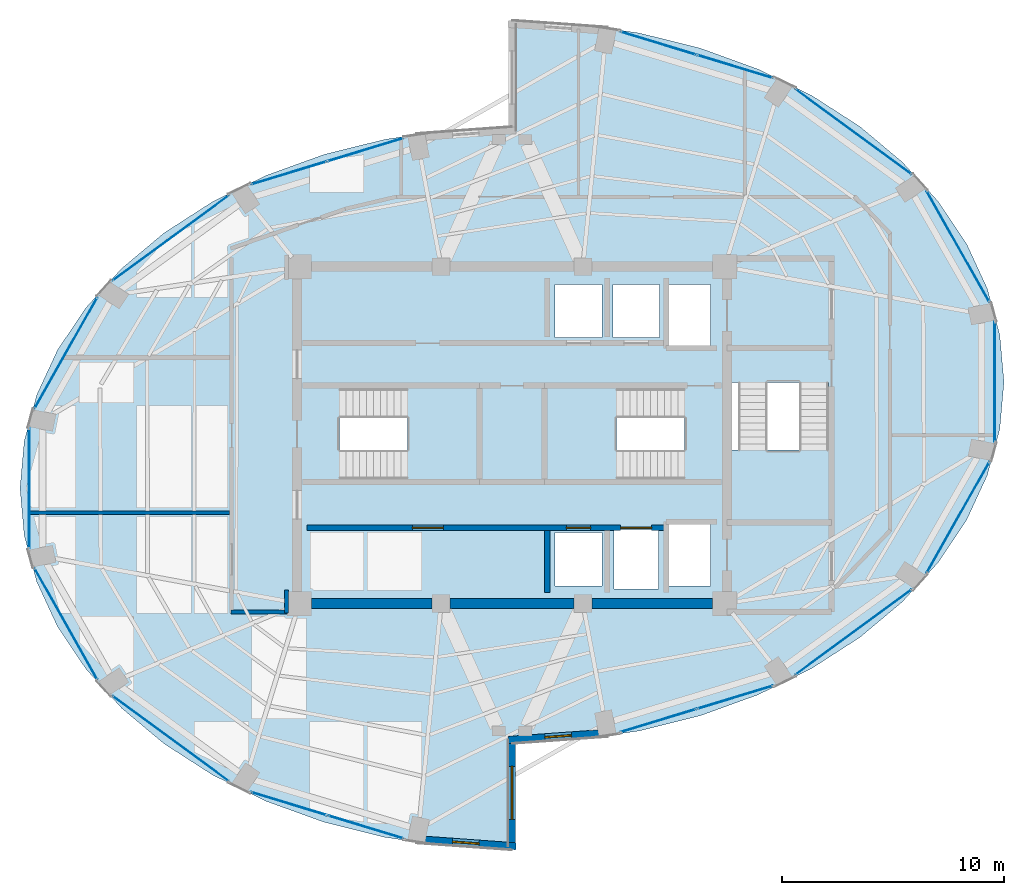
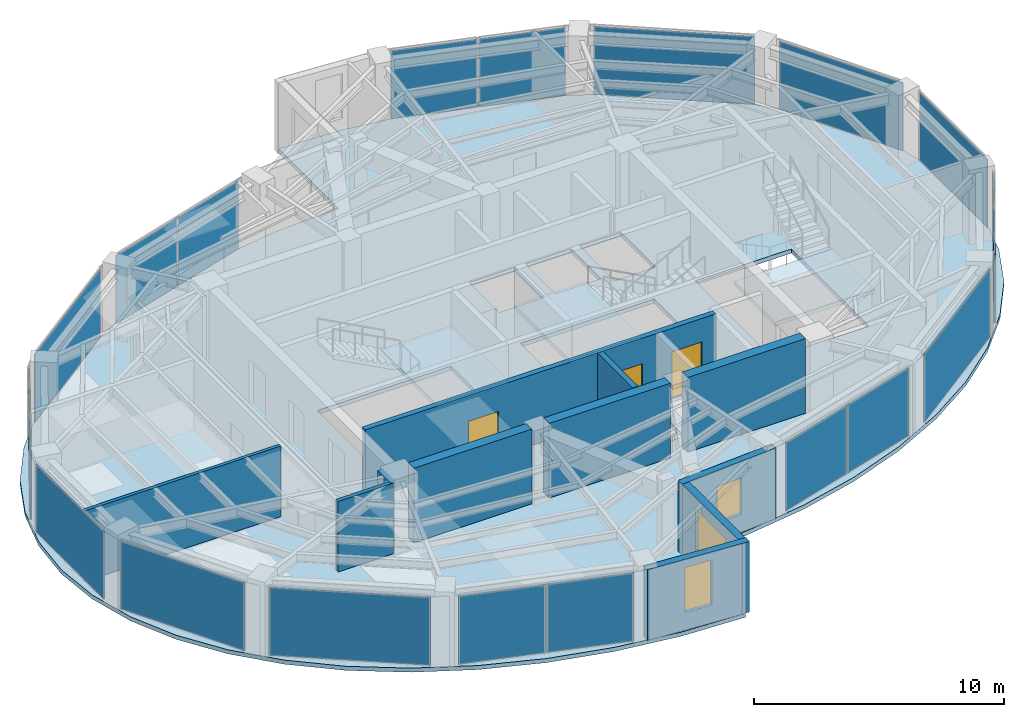
# One storey, part 18 of 22: 18 plates, 11 walls, 4 slabs, 3 doors, 3 windows, 6 openings, 17 elements without a shape of their own.
"""IFC4 building model written with IfcOpenShell, lengths in metres."""

import ifcopenshell
import ifcopenshell.guid

model = None  # the IFC model being written
_history = None  # IfcOwnerHistory: only IFC2X3 demands one
_inside = {}  # id of a spatial element -> (the spatial element, [elements in it])
_under = {}  # id of a project, library or spatial element -> (it, [spatial elements below it])
_declared = {}  # id of a project -> (the project, [libraries it declares])
_typed = {}  # id of a type object -> (the type object, [elements of that type])
_made_of = {}  # id of a material, layer set ... -> (it, [elements and type objects made of it])


def new_model(schema):
    """Start an empty IFC model of exactly this schema.

    Asked for "IFC4X3", IfcOpenShell would pick the latest addendum, in which some entities
    have other attributes; the version numbers below select the first issue.
    IFC2X3 requires an IfcOwnerHistory on every rooted entity: one is made here for all.
    """
    global model, _history
    if schema == "IFC4X3":
        model = ifcopenshell.file(schema_version=(4, 3, 0, 0))
    else:
        model = ifcopenshell.file(schema=schema)
    _inside.clear()
    _under.clear()
    _declared.clear()
    _typed.clear()
    _made_of.clear()
    _history = None
    if model.schema == "IFC2X3":
        org = make("IfcOrganization", Name="unknown")
        user = make(
            "IfcPersonAndOrganization",
            ThePerson=make("IfcPerson", FamilyName="unknown"),
            TheOrganization=org,
        )
        app = make(
            "IfcApplication",
            ApplicationDeveloper=org,
            Version="unknown",
            ApplicationFullName="unknown",
            ApplicationIdentifier="unknown",
        )
        _history = make(
            "IfcOwnerHistory",
            OwningUser=user,
            OwningApplication=app,
            ChangeAction="ADDED",
            CreationDate=0,
        )
    return model


def make(cls, **values):
    """One entity of the class cls with the attributes given. An attribute that is None is left unset."""
    return model.create_entity(
        cls, **{name: value for name, value in values.items() if value is not None}
    )


def rooted(cls, **values):
    """An entity with a GlobalId (a new one), such as an element, a storey or a relation."""
    return make(cls, GlobalId=ifcopenshell.guid.new(), OwnerHistory=_history, **values)


def si_unit(unit_type, name, prefix=None):
    """IfcSIUnit, for example si_unit("LENGTHUNIT", "METRE", prefix="MILLI")."""
    return make("IfcSIUnit", UnitType=unit_type, Prefix=prefix, Name=name)


def assignment(units):
    """IfcUnitAssignment: the units of a project."""
    return None if units is None else make("IfcUnitAssignment", Units=units)


def point(xyz):
    """IfcCartesianPoint."""
    return None if xyz is None else make("IfcCartesianPoint", Coordinates=xyz)


def direction(xyz):
    """IfcDirection."""
    return None if xyz is None else make("IfcDirection", DirectionRatios=xyz)


def frame(location, z_axis=None, x_axis=None):
    """IfcAxis2Placement3D, a coordinate frame: its origin and axes. An axis left out is left unset."""
    return make(
        "IfcAxis2Placement3D",
        Location=point(location),
        Axis=direction(z_axis),
        RefDirection=direction(x_axis),
    )


def frame_2d(location, x_axis=None):
    """IfcAxis2Placement2D, a coordinate frame in the plane: its origin and x axis."""
    return make(
        "IfcAxis2Placement2D", Location=point(location), RefDirection=direction(x_axis)
    )


def origin():
    """The frame at (0, 0, 0) with its axes left unset."""
    return frame((0.0, 0.0, 0.0))


def origin_2d():
    """The frame at (0, 0) in the plane with its x axis left unset."""
    return frame_2d((0.0, 0.0))


def place(relative_to, where):
    """IfcLocalPlacement: puts the frame where relative to a parent placement (None: the world)."""
    return make(
        "IfcLocalPlacement", PlacementRelTo=relative_to, RelativePlacement=where
    )


def context(
    kind, dimensions, precision=None, world=None, true_north=None, identifier=None
):
    """IfcGeometricRepresentationContext, for example the 3D "Model" context."""
    return make(
        "IfcGeometricRepresentationContext",
        ContextIdentifier=identifier,
        ContextType=kind,
        CoordinateSpaceDimension=dimensions,
        Precision=precision,
        WorldCoordinateSystem=world,
        TrueNorth=true_north,
    )


def subcontext(parent, identifier, kind, view, scale=None):
    """IfcGeometricRepresentationSubContext, for example "Body" below "Model"."""
    return make(
        "IfcGeometricRepresentationSubContext",
        ContextIdentifier=identifier,
        ContextType=kind,
        ParentContext=parent,
        TargetScale=scale,
        TargetView=view,
    )


def project(units=None, contexts=None):
    """IfcProject with its units and contexts."""
    return rooted(
        "IfcProject",
        Name="project",
        RepresentationContexts=contexts,
        UnitsInContext=assignment(units),
    )


def spatial(cls, under=None, at=None, **own):
    """A site, building, storey or space (cls), placed at a placement, below another one or the project."""
    s = rooted(cls, ObjectPlacement=at, **own)
    if under is not None:
        _under.setdefault(under.id(), (under, []))[1].append(s)
    return s


def polyline(points):
    """IfcPolyline through the points."""
    return make("IfcPolyline", Points=[point(p) for p in points])


def profile(cls, at=None, kind="AREA", **sizes):
    """A parametric profile (cls). Its sizes go by their IFC names, for example OverallWidth=200.0."""
    return make(cls, ProfileType=kind, Position=at, **sizes)


def rectangle(**sizes):
    """IfcRectangleProfileDef."""
    return profile("IfcRectangleProfileDef", **sizes)


def outline(outer, holes=None, kind="AREA"):
    """IfcArbitraryClosedProfileDef: a profile drawn as a closed curve; with holes, ...WithVoids."""
    if holes is None:
        return make("IfcArbitraryClosedProfileDef", ProfileType=kind, OuterCurve=outer)
    return make(
        "IfcArbitraryProfileDefWithVoids",
        ProfileType=kind,
        OuterCurve=outer,
        InnerCurves=holes,
    )


def extrude(swept, where, along, depth):
    """IfcExtrudedAreaSolid: the profile swept, set in the frame where, extruded along a direction by depth."""
    return make(
        "IfcExtrudedAreaSolid",
        SweptArea=swept,
        Position=where,
        ExtrudedDirection=direction(along),
        Depth=depth,
    )


def shape(context_of_items, identifier, shape_type, items):
    """IfcShapeRepresentation: the items that make up one representation, for example the "Body"."""
    return make(
        "IfcShapeRepresentation",
        ContextOfItems=context_of_items,
        RepresentationIdentifier=identifier,
        RepresentationType=shape_type,
        Items=items,
    )


def material(Name=None, Category=None):
    """IfcMaterial."""
    return make("IfcMaterial", Name=Name, Category=Category)


def layer(
    of_material, thickness, ventilated=None, Name=None, Category=None, Priority=None
):
    """IfcMaterialLayer: one layer of a wall or slab, of a material (None: an air gap)."""
    return make(
        "IfcMaterialLayer",
        Material=of_material,
        LayerThickness=thickness,
        IsVentilated=ventilated,
        Name=Name,
        Category=Category,
        Priority=Priority,
    )


def layer_set(layers, Name=None):
    """IfcMaterialLayerSet."""
    return make("IfcMaterialLayerSet", MaterialLayers=layers, LayerSetName=Name)


def made_of(thing, what):
    """Note that an element or type object is made of a material, layer set ...; save() writes the relation."""
    if what is not None:
        _made_of.setdefault(what.id(), (what, []))[1].append(thing)
    return thing


def type_object(cls, material=None, **own):
    """A type object (cls), such as IfcWallType, which elements share."""
    return made_of(rooted(cls, **own), material)


def element(
    cls,
    number,
    at=None,
    inside=None,
    cuts=None,
    type_object=None,
    material=None,
    context=None,
    identifier="Body",
    shape_type=None,
    held_by="IfcProductDefinitionShape",
    body=None,
    shapes=None,
    **own,
):
    """One element of the class cls, such as IfcWall. Its Tag is "e" and its number.

    at: its placement. inside: the storey or other place that contains it. cuts: it is an
    opening in that element (IfcRelVoidsElement). A single representation is given by context,
    identifier, shape_type and body (its items); several are given by shapes. held_by: the class
    of the entity that holds the representations. save() writes the other relations.
    """
    e = rooted(cls, Tag="e%d" % number, ObjectPlacement=at, **own)
    if body is not None:
        shapes = [shape(context, identifier, shape_type, body)]
    if shapes is not None:
        e.Representation = make(held_by, Representations=shapes)
    if inside is not None:
        _inside.setdefault(inside.id(), (inside, []))[1].append(e)
    if cuts is not None:
        rooted(
            "IfcRelVoidsElement", RelatingBuildingElement=cuts, RelatedOpeningElement=e
        )
    if type_object is not None:
        _typed.setdefault(type_object.id(), (type_object, []))[1].append(e)
    return made_of(e, material)


def fill(opening, filler):
    """IfcRelFillsElement: the door or window that sits in an opening."""
    return rooted(
        "IfcRelFillsElement",
        RelatingOpeningElement=opening,
        RelatedBuildingElement=filler,
    )


def aggregate(whole, parts):
    """IfcRelAggregates: a whole, such as a stair, and the parts it consists of."""
    return rooted("IfcRelAggregates", RelatingObject=whole, RelatedObjects=parts)


def save(model, path):
    """Write the relations noted so far, then the file.

    IfcRelAggregates (storeys below a building ...), IfcRelContainedInSpatialStructure (elements
    in a storey), IfcRelDefinesByType, IfcRelAssociatesMaterial and IfcRelDeclares: one each for
    every whole, place, type object, material and project.
    """
    for whole, parts in _under.values():
        aggregate(whole, parts)
    for where, things in _inside.values():
        rooted(
            "IfcRelContainedInSpatialStructure",
            RelatedElements=things,
            RelatingStructure=where,
        )
    for kind, things in _typed.values():
        rooted("IfcRelDefinesByType", RelatedObjects=things, RelatingType=kind)
    for what, things in _made_of.values():
        rooted("IfcRelAssociatesMaterial", RelatedObjects=things, RelatingMaterial=what)
    for by, libraries in _declared.values():
        rooted("IfcRelDeclares", RelatingContext=by, RelatedDefinitions=libraries)
    model.write(path)


model = new_model("IFC4")

# Units and contexts
model_context = context("Model", 3, precision=1e-05, world=origin(), true_north=direction((0.0, 1.0)))
body_context = subcontext(model_context, "Body", "Model", "MODEL_VIEW")
ifc_project = project(units=[si_unit("LENGTHUNIT", "METRE"), si_unit("AREAUNIT", "SQUARE_METRE"), si_unit("VOLUMEUNIT", "CUBIC_METRE"), si_unit("PLANEANGLEUNIT", "RADIAN"), si_unit("MASSUNIT", "GRAM", prefix="KILO")], contexts=[model_context])

# Site, building, storey
site_placement = place(None, origin())
site = spatial("IfcSite", under=ifc_project, at=site_placement, CompositionType="ELEMENT")
building_placement = place(site_placement, origin())
building = spatial("IfcBuilding", under=site, at=building_placement, Name="Lazwardi Medical Tower", CompositionType="ELEMENT")
storey_placement = place(building_placement, frame((0.0, 0.0, 238.60791015625)))
storey = spatial("IfcBuildingStorey", under=building, at=storey_placement, Name="L62", CompositionType="ELEMENT", Elevation=238.60791015625)

# Curtain wall, plates
ifc_material_1 = material(Name="Anodised bronze aluminium and solar control glazing", Category="aluminium")
ifc_layer_1 = layer(ifc_material_1, 0.18994140625)
ifc_layer_set_1 = layer_set([ifc_layer_1], Name="Anodised bronze aluminium and solar control glazing")
curtain_wall_type = type_object("IfcCurtainWallType", Name="CW-SYS-04", PredefinedType="NOTDEFINED", material=ifc_layer_set_1)
curtain_wall_1_placement = place(storey_placement, origin())
curtain_wall_1 = element("IfcCurtainWall", 1, at=curtain_wall_1_placement, inside=storey, type_object=curtain_wall_type, Name="L62 Unitised bronze curtain wall CW-04", PredefinedType="NOTDEFINED")
ifc_material_2 = material(Name="Low-e bronze solar control double glazing", Category="glass")
ifc_layer_2 = layer(ifc_material_2, 0.035888671875)
ifc_layer_set_2 = layer_set([ifc_layer_2], Name="Low-e bronze solar control double glazing")
plate_type = type_object("IfcPlateType", Name="PLT-GLZ-01", PredefinedType="CURTAIN_PANEL", material=ifc_layer_set_2)
plate_1_placement = place(storey_placement, frame((42.604736328125, 15.118896484375, 0.06494140625), z_axis=(0.0, 0.0, 1.0), x_axis=(0.956850126972, 0.290581889515, 0.0)))
plate_1 = element("IfcPlate", 2, at=plate_1_placement, type_object=plate_type, Name="CW-04 panel 1.1", PredefinedType="CURTAIN_PANEL", context=body_context, shape_type="SweptSolid", body=[
    extrude(rectangle(XDim=3.554443359375, YDim=0.035888671875, at=origin_2d()), origin(), (0.0, 0.0, 1.0), 3.318115234375),
])
plate_2_placement = place(storey_placement, frame((46.068115234375, 16.170654296875, 0.06494140625), z_axis=(0.0, 0.0, 1.0), x_axis=(0.956850126972, 0.290581889515, 0.0)))
plate_2 = element("IfcPlate", 3, at=plate_2_placement, type_object=plate_type, Name="CW-04 panel 2.1", PredefinedType="CURTAIN_PANEL", context=body_context, shape_type="SweptSolid", body=[
    extrude(rectangle(XDim=3.554443359375, YDim=0.035888671875, at=origin_2d()), origin(), (0.0, 0.0, 1.0), 3.318115234375),
])
aggregate(curtain_wall_1, [plate_1, plate_2])

# Curtain wall, plate
curtain_wall_2_placement = place(storey_placement, origin())
curtain_wall_2 = element("IfcCurtainWall", 4, at=curtain_wall_2_placement, inside=storey, type_object=curtain_wall_type, Name="L62 Unitised bronze curtain wall CW-04", PredefinedType="NOTDEFINED")
plate_3_placement = place(storey_placement, frame((51.403564453125, 19.106689453125, 0.06494140625), z_axis=(0.0, 0.0, 1.0), x_axis=(0.806474971121, 0.591268230971, 0.0)))
plate_3 = element("IfcPlate", 5, at=plate_3_placement, type_object=plate_type, Name="CW-04 panel 1.1", PredefinedType="CURTAIN_PANEL", context=body_context, shape_type="SweptSolid", body=[
    extrude(rectangle(XDim=6.502685546875, YDim=0.035888671875, at=origin_2d()), origin(), (0.0, 0.0, 1.0), 3.318115234375),
])
aggregate(curtain_wall_2, [plate_3])

curtain_wall_3_placement = place(storey_placement, origin())
curtain_wall_3 = element("IfcCurtainWall", 6, at=curtain_wall_3_placement, inside=storey, type_object=curtain_wall_type, Name="L62 Unitised bronze curtain wall CW-04", PredefinedType="NOTDEFINED")
plate_4_placement = place(storey_placement, frame((56.125732421875, 24.2880859375, 0.06494140625), z_axis=(0.0, 0.0, 1.0), x_axis=(0.491900474661, 0.870651436011, 0.0)))
plate_4 = element("IfcPlate", 7, at=plate_4_placement, type_object=plate_type, Name="CW-04 panel 1.1", PredefinedType="CURTAIN_PANEL", context=body_context, shape_type="SweptSolid", body=[
    extrude(rectangle(XDim=5.755126953125, YDim=0.035888671875, at=origin_2d()), origin(), (0.0, 0.0, 1.0), 3.318115234375),
])
aggregate(curtain_wall_3, [plate_4])

curtain_wall_4_placement = place(storey_placement, origin())
curtain_wall_4 = element("IfcCurtainWall", 8, at=curtain_wall_4_placement, inside=storey, type_object=curtain_wall_type, Name="L62 Unitised bronze curtain wall CW-04", PredefinedType="NOTDEFINED")
plate_5_placement = place(storey_placement, frame((57.7841796875, 30.39990234375, 0.06494140625), z_axis=(0.0, 0.0, 1.0), x_axis=(0.0, 1.0, 0.0)))
plate_5 = element("IfcPlate", 9, at=plate_5_placement, type_object=plate_type, Name="CW-04 panel 1.1", PredefinedType="CURTAIN_PANEL", context=body_context, shape_type="SweptSolid", body=[
    extrude(rectangle(XDim=5.416015625, YDim=0.035888671875, at=origin_2d()), origin(), (0.0, 0.0, 1.0), 3.318115234375),
])
aggregate(curtain_wall_4, [plate_5])

curtain_wall_5_placement = place(storey_placement, origin())
curtain_wall_5 = element("IfcCurtainWall", 10, at=curtain_wall_5_placement, inside=storey, type_object=curtain_wall_type, Name="L62 Unitised bronze curtain wall CW-04", PredefinedType="NOTDEFINED")
plate_6_placement = place(storey_placement, frame((56.125732421875, 36.511962890625, 0.06494140625), z_axis=(0.0, 0.0, 1.0), x_axis=(-0.491900474661, 0.870651436011, 0.0)))
plate_6 = element("IfcPlate", 11, at=plate_6_placement, type_object=plate_type, Name="CW-04 panel 1.1", PredefinedType="CURTAIN_PANEL", context=body_context, shape_type="SweptSolid", body=[
    extrude(rectangle(XDim=5.755126953125, YDim=0.035888671875, at=origin_2d()), origin(), (0.0, 0.0, 1.0), 3.318115234375),
])
aggregate(curtain_wall_5, [plate_6])

curtain_wall_6_placement = place(storey_placement, origin())
curtain_wall_6 = element("IfcCurtainWall", 12, at=curtain_wall_6_placement, inside=storey, type_object=curtain_wall_type, Name="L62 Unitised bronze curtain wall CW-04", PredefinedType="NOTDEFINED")
plate_7_placement = place(storey_placement, frame((51.403564453125, 41.693359375, 0.06494140625), z_axis=(0.0, 0.0, 1.0), x_axis=(-0.806474971121, 0.591268230971, 0.0)))
plate_7 = element("IfcPlate", 13, at=plate_7_placement, type_object=plate_type, Name="CW-04 panel 1.1", PredefinedType="CURTAIN_PANEL", context=body_context, shape_type="SweptSolid", body=[
    extrude(rectangle(XDim=6.502685546875, YDim=0.035888671875, at=origin_2d()), origin(), (0.0, 0.0, 1.0), 3.318115234375),
])
aggregate(curtain_wall_6, [plate_7])

# Curtain wall, plates
curtain_wall_7_placement = place(storey_placement, origin())
curtain_wall_7 = element("IfcCurtainWall", 14, at=curtain_wall_7_placement, inside=storey, type_object=curtain_wall_type, Name="L62 Unitised bronze curtain wall CW-04", PredefinedType="NOTDEFINED")
plate_8_placement = place(storey_placement, frame((46.068115234375, 44.62939453125, 0.06494140625), z_axis=(0.0, 0.0, 1.0), x_axis=(-0.956850126972, 0.290581889515, 0.0)))
plate_8 = element("IfcPlate", 15, at=plate_8_placement, type_object=plate_type, Name="CW-04 panel 1.1", PredefinedType="CURTAIN_PANEL", context=body_context, shape_type="SweptSolid", body=[
    extrude(rectangle(XDim=3.554443359375, YDim=0.035888671875, at=origin_2d()), origin(), (0.0, 0.0, 1.0), 3.318115234375),
])
plate_9_placement = place(storey_placement, frame((42.604736328125, 45.68115234375, 0.06494140625), z_axis=(0.0, 0.0, 1.0), x_axis=(-0.956850126972, 0.290581889515, 0.0)))
plate_9 = element("IfcPlate", 16, at=plate_9_placement, type_object=plate_type, Name="CW-04 panel 2.1", PredefinedType="CURTAIN_PANEL", context=body_context, shape_type="SweptSolid", body=[
    extrude(rectangle(XDim=3.554443359375, YDim=0.035888671875, at=origin_2d()), origin(), (0.0, 0.0, 1.0), 3.318115234375),
])
aggregate(curtain_wall_7, [plate_8, plate_9])

curtain_wall_8_placement = place(storey_placement, origin())
curtain_wall_8 = element("IfcCurtainWall", 17, at=curtain_wall_8_placement, inside=storey, type_object=curtain_wall_type, Name="L62 Unitised bronze curtain wall CW-04", PredefinedType="NOTDEFINED")
plate_10_placement = place(storey_placement, frame((29.395263671875, 40.881103515625, 0.06494140625), z_axis=(0.0, 0.0, 1.0), x_axis=(-0.956850126972, -0.290581889515, 0.0)))
plate_10 = element("IfcPlate", 18, at=plate_10_placement, type_object=plate_type, Name="CW-04 panel 1.1", PredefinedType="CURTAIN_PANEL", context=body_context, shape_type="SweptSolid", body=[
    extrude(rectangle(XDim=3.554443359375, YDim=0.035888671875, at=origin_2d()), origin(), (0.0, 0.0, 1.0), 3.318115234375),
])
plate_11_placement = place(storey_placement, frame((25.931884765625, 39.829345703125, 0.06494140625), z_axis=(0.0, 0.0, 1.0), x_axis=(-0.956850126972, -0.290581889515, 0.0)))
plate_11 = element("IfcPlate", 19, at=plate_11_placement, type_object=plate_type, Name="CW-04 panel 2.1", PredefinedType="CURTAIN_PANEL", context=body_context, shape_type="SweptSolid", body=[
    extrude(rectangle(XDim=3.554443359375, YDim=0.035888671875, at=origin_2d()), origin(), (0.0, 0.0, 1.0), 3.318115234375),
])
aggregate(curtain_wall_8, [plate_10, plate_11])

# Curtain wall, plate
curtain_wall_9_placement = place(storey_placement, origin())
curtain_wall_9 = element("IfcCurtainWall", 20, at=curtain_wall_9_placement, inside=storey, type_object=curtain_wall_type, Name="L62 Unitised bronze curtain wall CW-04", PredefinedType="NOTDEFINED")
plate_12_placement = place(storey_placement, frame((20.596435546875, 36.893310546875, 0.06494140625), z_axis=(0.0, 0.0, 1.0), x_axis=(-0.806474971121, -0.591268230971, 0.0)))
plate_12 = element("IfcPlate", 21, at=plate_12_placement, type_object=plate_type, Name="CW-04 panel 1.1", PredefinedType="CURTAIN_PANEL", context=body_context, shape_type="SweptSolid", body=[
    extrude(rectangle(XDim=6.502685546875, YDim=0.035888671875, at=origin_2d()), origin(), (0.0, 0.0, 1.0), 3.318115234375),
])
aggregate(curtain_wall_9, [plate_12])

curtain_wall_10_placement = place(storey_placement, origin())
curtain_wall_10 = element("IfcCurtainWall", 22, at=curtain_wall_10_placement, inside=storey, type_object=curtain_wall_type, Name="L62 Unitised bronze curtain wall CW-04", PredefinedType="NOTDEFINED")
plate_13_placement = place(storey_placement, frame((15.874267578125, 31.7119140625, 0.06494140625), z_axis=(0.0, 0.0, 1.0), x_axis=(-0.491900474661, -0.870651436011, 0.0)))
plate_13 = element("IfcPlate", 23, at=plate_13_placement, type_object=plate_type, Name="CW-04 panel 1.1", PredefinedType="CURTAIN_PANEL", context=body_context, shape_type="SweptSolid", body=[
    extrude(rectangle(XDim=5.755126953125, YDim=0.035888671875, at=origin_2d()), origin(), (0.0, 0.0, 1.0), 3.318115234375),
])
aggregate(curtain_wall_10, [plate_13])

curtain_wall_11_placement = place(storey_placement, origin())
curtain_wall_11 = element("IfcCurtainWall", 24, at=curtain_wall_11_placement, inside=storey, type_object=curtain_wall_type, Name="L62 Unitised bronze curtain wall CW-04", PredefinedType="NOTDEFINED")
plate_14_placement = place(storey_placement, frame((14.2158203125, 25.60009765625, 0.06494140625), z_axis=(0.0, 0.0, 1.0), x_axis=(0.0, -1.0, 0.0)))
plate_14 = element("IfcPlate", 25, at=plate_14_placement, type_object=plate_type, Name="CW-04 panel 1.1", PredefinedType="CURTAIN_PANEL", context=body_context, shape_type="SweptSolid", body=[
    extrude(rectangle(XDim=5.416015625, YDim=0.035888671875, at=origin_2d()), origin(), (0.0, 0.0, 1.0), 3.318115234375),
])
aggregate(curtain_wall_11, [plate_14])

curtain_wall_12_placement = place(storey_placement, origin())
curtain_wall_12 = element("IfcCurtainWall", 26, at=curtain_wall_12_placement, inside=storey, type_object=curtain_wall_type, Name="L62 Unitised bronze curtain wall CW-04", PredefinedType="NOTDEFINED")
plate_15_placement = place(storey_placement, frame((15.874267578125, 19.488037109375, 0.06494140625), z_axis=(0.0, 0.0, 1.0), x_axis=(0.491900474661, -0.870651436011, 0.0)))
plate_15 = element("IfcPlate", 27, at=plate_15_placement, type_object=plate_type, Name="CW-04 panel 1.1", PredefinedType="CURTAIN_PANEL", context=body_context, shape_type="SweptSolid", body=[
    extrude(rectangle(XDim=5.755126953125, YDim=0.035888671875, at=origin_2d()), origin(), (0.0, 0.0, 1.0), 3.318115234375),
])
aggregate(curtain_wall_12, [plate_15])

curtain_wall_13_placement = place(storey_placement, origin())
curtain_wall_13 = element("IfcCurtainWall", 28, at=curtain_wall_13_placement, inside=storey, type_object=curtain_wall_type, Name="L62 Unitised bronze curtain wall CW-04", PredefinedType="NOTDEFINED")
plate_16_placement = place(storey_placement, frame((20.596435546875, 14.306640625, 0.06494140625), z_axis=(0.0, 0.0, 1.0), x_axis=(0.806474971121, -0.591268230971, 0.0)))
plate_16 = element("IfcPlate", 29, at=plate_16_placement, type_object=plate_type, Name="CW-04 panel 1.1", PredefinedType="CURTAIN_PANEL", context=body_context, shape_type="SweptSolid", body=[
    extrude(rectangle(XDim=6.502685546875, YDim=0.035888671875, at=origin_2d()), origin(), (0.0, 0.0, 1.0), 3.318115234375),
])
aggregate(curtain_wall_13, [plate_16])

# Curtain wall, plates
curtain_wall_14_placement = place(storey_placement, origin())
curtain_wall_14 = element("IfcCurtainWall", 30, at=curtain_wall_14_placement, inside=storey, type_object=curtain_wall_type, Name="L62 Unitised bronze curtain wall CW-04", PredefinedType="NOTDEFINED")
plate_17_placement = place(storey_placement, frame((25.931884765625, 11.37060546875, 0.06494140625), z_axis=(0.0, 0.0, 1.0), x_axis=(0.956850126972, -0.290581889515, 0.0)))
plate_17 = element("IfcPlate", 31, at=plate_17_placement, type_object=plate_type, Name="CW-04 panel 1.1", PredefinedType="CURTAIN_PANEL", context=body_context, shape_type="SweptSolid", body=[
    extrude(rectangle(XDim=3.554443359375, YDim=0.035888671875, at=origin_2d()), origin(), (0.0, 0.0, 1.0), 3.318115234375),
])
plate_18_placement = place(storey_placement, frame((29.395263671875, 10.31884765625, 0.06494140625), z_axis=(0.0, 0.0, 1.0), x_axis=(0.956850126972, -0.290581889515, 0.0)))
plate_18 = element("IfcPlate", 32, at=plate_18_placement, type_object=plate_type, Name="CW-04 panel 2.1", PredefinedType="CURTAIN_PANEL", context=body_context, shape_type="SweptSolid", body=[
    extrude(rectangle(XDim=3.554443359375, YDim=0.035888671875, at=origin_2d()), origin(), (0.0, 0.0, 1.0), 3.318115234375),
])
aggregate(curtain_wall_14, [plate_17, plate_18])

# Stair, slab
ifc_material_3 = material(Name="Concrete C45/55", Category="concrete")
stair_type = type_object("IfcStairType", Name="STR-WRD", PredefinedType="HALF_TURN_STAIR", material=ifc_material_3)
stair_1_placement = place(storey_placement, origin())
stair_1 = element("IfcStair", 33, at=stair_1_placement, inside=storey, type_object=stair_type, Name="L62 Protected Exit Stair ST1", PredefinedType="HALF_TURN_STAIR")
ifc_layer_3 = layer(ifc_material_3, 0.199951171875)
ifc_layer_set_3 = layer_set([ifc_layer_3], Name="Concrete C45/55")
slab_type_1 = type_object("IfcSlabType", Name="SLB-LND-190", PredefinedType="LANDING", material=ifc_layer_set_3)
slab_1_placement = place(storey_placement, frame((0.0, 0.0, 1.6240234375)))
slab_1 = element("IfcSlab", 34, at=slab_1_placement, type_object=slab_type_1, Name="ST1 landing 1", PredefinedType="LANDING", context=body_context, shape_type="SweptSolid", body=[
    extrude(outline(polyline([(31.27490234375, 25.840087890625), (34.580078125, 25.840087890625), (34.580078125, 30.280029296875), (31.27490234375, 30.280029296875), (31.27490234375, 25.840087890625)])), origin(), (0.0, 0.0, 1.0), 0.199951171875),
])
aggregate(stair_1, [slab_1])

stair_2_placement = place(storey_placement, origin())
stair_2 = element("IfcStair", 35, at=stair_2_placement, inside=storey, type_object=stair_type, Name="L62 Protected Exit Stair ST2", PredefinedType="HALF_TURN_STAIR")
slab_2_placement = place(storey_placement, frame((0.0, 0.0, 1.6240234375)))
slab_2 = element("IfcSlab", 36, at=slab_2_placement, type_object=slab_type_1, Name="ST2 landing 1", PredefinedType="LANDING", context=body_context, shape_type="SweptSolid", body=[
    extrude(outline(polyline([(40.72509765625, 30.280029296875), (37.419921875, 30.280029296875), (37.419921875, 25.840087890625), (40.72509765625, 25.840087890625), (40.72509765625, 30.280029296875)])), origin(), (0.0, 0.0, 1.0), 0.199951171875),
])
aggregate(stair_2, [slab_2])

stair_3_placement = place(storey_placement, origin())
stair_3 = element("IfcStair", 37, at=stair_3_placement, inside=storey, type_object=stair_type, Name="L62 Protected Exit Stair ST3", PredefinedType="HALF_TURN_STAIR")
slab_3_placement = place(storey_placement, frame((0.0, 0.0, 1.6240234375)))
slab_3 = element("IfcSlab", 38, at=slab_3_placement, type_object=slab_type_1, Name="ST3 landing 1", PredefinedType="LANDING", context=body_context, shape_type="SweptSolid", body=[
    extrude(outline(polyline([(45.860107421875, 27.324951171875), (45.860107421875, 24.02001953125), (50.4599609375, 24.02001953125), (50.4599609375, 27.324951171875), (45.860107421875, 27.324951171875)])), origin(), (0.0, 0.0, 1.0), 0.199951171875),
])
aggregate(stair_3, [slab_3])

# Slab
ifc_material_4 = material(Name="Concrete C50/60", Category="concrete")
ifc_layer_4 = layer(ifc_material_4, 0.199951171875)
ifc_layer_set_4 = layer_set([ifc_layer_4], Name="Concrete C50/60")
slab_type_2 = type_object("IfcSlabType", Name="SLB-UPP-200", PredefinedType="FLOOR", material=ifc_layer_set_4)
slab_4_placement = place(storey_placement, frame((0.0, 0.0, -0.199951171875)))
element("IfcSlab", 39, at=slab_4_placement, inside=storey, type_object=slab_type_2, Name="Structural floor slab SF-04 L62", PredefinedType="FLOOR", context=body_context, shape_type="SweptSolid", body=[
    extrude(outline(polyline([(18.3876953125, 15.67724609375), (20.30224609375, 14.07421875), (22.485595703125, 12.668212890625), (24.89990234375, 11.48388671875), (27.50439453125, 10.540771484375), (30.254150390625, 9.85546875), (33.102294921875, 9.439453125), (36.0, 9.300048828125), (36.0, 14.10009765625), (38.897705078125, 14.239501953125), (41.745849609375, 14.655517578125), (44.49560546875, 15.3408203125), (47.10009765625, 16.28369140625), (49.514404296875, 17.46826171875), (51.69775390625, 18.874267578125), (53.6123046875, 20.477294921875), (55.225830078125, 22.25), (56.510009765625, 24.162353515625), (57.443603515625, 26.18115234375), (58.010009765625, 28.2724609375), (58.199951171875, 30.39990234375), (58.010009765625, 32.527587890625), (57.443603515625, 34.618896484375), (56.510009765625, 36.6376953125), (55.225830078125, 38.550048828125), (53.6123046875, 40.32275390625), (51.69775390625, 41.92578125), (49.514404296875, 43.331787109375), (47.10009765625, 44.51611328125), (44.49560546875, 45.459228515625), (41.745849609375, 46.14453125), (38.897705078125, 46.560546875), (36.0, 46.699951171875), (36.0, 41.89990234375), (33.102294921875, 41.760498046875), (30.254150390625, 41.344482421875), (27.50439453125, 40.6591796875), (24.89990234375, 39.71630859375), (22.485595703125, 38.53173828125), (20.30224609375, 37.125732421875), (18.3876953125, 35.522705078125), (16.774169921875, 33.75), (15.489990234375, 31.837646484375), (14.556396484375, 29.81884765625), (13.989990234375, 27.7275390625), (13.800048828125, 25.60009765625), (13.989990234375, 23.472412109375), (14.556396484375, 21.381103515625), (15.489990234375, 19.3623046875), (16.774169921875, 17.449951171875), (18.3876953125, 15.67724609375)]), holes=[polyline([(28.22509765625, 26.02001953125), (28.22509765625, 30.10009765625), (34.39990234375, 30.10009765625), (34.39990234375, 26.02001953125), (28.22509765625, 26.02001953125)]), polyline([(37.60009765625, 30.10009765625), (43.77490234375, 30.10009765625), (43.77490234375, 26.02001953125), (37.60009765625, 26.02001953125), (37.60009765625, 30.10009765625)]), polyline([(50.280029296875, 30.375), (50.280029296875, 24.179931640625), (45.840087890625, 24.179931640625), (45.840087890625, 30.375), (50.280029296875, 30.375)]), polyline([(40.050048828125, 32.39990234375), (37.949951171875, 32.39990234375), (37.949951171875, 34.800048828125), (40.050048828125, 34.800048828125), (40.050048828125, 32.39990234375)]), polyline([(40.550048828125, 32.39990234375), (40.550048828125, 34.800048828125), (42.64990234375, 34.800048828125), (42.64990234375, 32.39990234375), (40.550048828125, 32.39990234375)]), polyline([(37.949951171875, 23.60009765625), (40.050048828125, 23.60009765625), (40.050048828125, 21.199951171875), (37.949951171875, 21.199951171875), (37.949951171875, 23.60009765625)]), polyline([(44.949951171875, 34.800048828125), (44.949951171875, 32.0), (43.050048828125, 32.0), (43.050048828125, 34.800048828125), (44.949951171875, 34.800048828125)]), polyline([(44.949951171875, 21.199951171875), (43.050048828125, 21.199951171875), (43.050048828125, 24.0), (44.949951171875, 24.0), (44.949951171875, 21.199951171875)]), polyline([(40.60009765625, 21.050048828125), (40.60009765625, 23.75), (42.60009765625, 23.75), (42.60009765625, 21.050048828125), (40.60009765625, 21.050048828125)])]), origin(), (0.0, 0.0, 1.0), 0.199951171875),
])

# Walls
ifc_material_5 = material(Name="Fire-rated gypsum board on steel stud", Category="steel")
ifc_layer_5 = layer(ifc_material_5, 0.179931640625)
ifc_layer_set_5 = layer_set([ifc_layer_5], Name="Fire-rated gypsum board on steel stud")
wall_type_1 = type_object("IfcWallType", Name="WL-COR-180", PredefinedType="PARTITIONING", material=ifc_layer_set_5)
wall_1_placement = place(storey_placement, frame((25.830078125, 21.010009765625, 0.0), z_axis=(0.0, 0.0, 1.0), x_axis=(0.0, -1.0, 0.0)))
element("IfcWall", 40, at=wall_1_placement, inside=storey, type_object=wall_type_1, Name="L62 Corridor partition 8", PredefinedType="PARTITIONING", context=body_context, shape_type="SweptSolid", body=[
    extrude(rectangle(XDim=1.030029296875, YDim=0.179931640625, at=frame_2d((0.51513671875, 0.0))), origin(), (0.0, 0.0, 1.0), 3.447998046875),
])
wall_2_placement = place(storey_placement, frame((25.8701171875, 20.02001953125, 0.0), z_axis=(0.0, 0.0, 1.0), x_axis=(-1.0, 0.0, 0.0)))
element("IfcWall", 41, at=wall_2_placement, inside=storey, type_object=wall_type_1, Name="L62 Corridor partition 9", PredefinedType="PARTITIONING", context=body_context, shape_type="SweptSolid", body=[
    extrude(rectangle(XDim=2.56005859375, YDim=0.179931640625, at=frame_2d((1.280029296875, 0.0))), origin(), (0.0, 0.0, 1.0), 3.447998046875),
])
ifc_material_6 = material(Name="Concrete C60/75", Category="concrete")
ifc_layer_6 = layer(ifc_material_6, 0.449951171875)
ifc_layer_set_6 = layer_set([ifc_layer_6], Name="Concrete C60/75")
wall_type_2 = type_object("IfcWallType", Name="WL-CORE-450", PredefinedType="SHEAR", material=ifc_layer_set_6)
wall_3_placement = place(storey_placement, frame((26.949951171875, 20.39990234375, 0.0), z_axis=(0.0, 0.0, 1.0), x_axis=(1.0, 0.0, 0.0)))
element("IfcWall", 42, at=wall_3_placement, inside=storey, type_object=wall_type_2, Name="Core wall CW-S4 S1 L62", PredefinedType="SHEAR", context=body_context, shape_type="SweptSolid", body=[
    extrude(rectangle(XDim=5.449951171875, YDim=0.449951171875, at=frame_2d((2.72509765625, 0.0))), origin(), (0.0, 0.0, 1.0), 3.648193359375),
])
wall_4_placement = place(storey_placement, frame((33.199951171875, 20.39990234375, 0.0), z_axis=(0.0, 0.0, 1.0), x_axis=(1.0, 0.0, 0.0)))
element("IfcWall", 43, at=wall_4_placement, inside=storey, type_object=wall_type_2, Name="Core wall CW-S4 S2 L62", PredefinedType="SHEAR", context=body_context, shape_type="SweptSolid", body=[
    extrude(rectangle(XDim=5.60009765625, YDim=0.449951171875, at=frame_2d((2.800048828125, 0.0))), origin(), (0.0, 0.0, 1.0), 3.648193359375),
])
wall_5_placement = place(storey_placement, frame((39.60009765625, 20.39990234375, 0.0), z_axis=(0.0, 0.0, 1.0), x_axis=(1.0, 0.0, 0.0)))
element("IfcWall", 44, at=wall_5_placement, inside=storey, type_object=wall_type_2, Name="Core wall CW-S4 S3 L62", PredefinedType="SHEAR", context=body_context, shape_type="SweptSolid", body=[
    extrude(rectangle(XDim=5.449951171875, YDim=0.449951171875, at=frame_2d((2.72509765625, 0.0))), origin(), (0.0, 0.0, 1.0), 3.648193359375),
])

# Wall, opening, window
ifc_material_7 = material(Name="Precast concrete C45/55", Category="concrete")
ifc_layer_7 = layer(ifc_material_7, 0.320068359375)
ifc_layer_set_7 = layer_set([ifc_layer_7], Name="Precast concrete C45/55")
wall_type_3 = type_object("IfcWallType", Name="WL-IWAN-320", PredefinedType="SOLIDWALL", material=ifc_layer_set_7)
wall_6_placement = place(storey_placement, frame((35.820556640625, 14.2470703125, 0.0), z_axis=(0.0, 0.0, 1.0), x_axis=(0.997409061056, 0.071938619141, 0.0)))
wall_6 = element("IfcWall", 45, at=wall_6_placement, inside=storey, type_object=wall_type_3, Name="L62 Iwan Portal Return Wall SE_ret", PredefinedType="SOLIDWALL", context=body_context, shape_type="SweptSolid", body=[
    extrude(rectangle(XDim=4.540771484375, YDim=0.320068359375, at=frame_2d((2.2705078125, 0.0))), origin(), (0.0, 0.0, 1.0), 3.447998046875),
])
opening_1_placement = place(wall_6_placement, frame((1.67041015625, 0.0, 0.85009765625)))
opening_1 = element("IfcOpeningElement", 46, at=opening_1_placement, cuts=wall_6, Name="Opening WN-04", PredefinedType="OPENING", context=body_context, shape_type="SweptSolid", body=[
    extrude(rectangle(XDim=1.199951171875, YDim=1.800048828125, at=frame_2d((0.60009765625, 0.89990234375))), frame((0.0, 0.169921875, 0.0), z_axis=(0.0, -1.0, 0.0), x_axis=(1.0, 0.0, 0.0)), (0.0, 0.0, 1.0), 0.340087890625),
])
window_type_1 = type_object("IfcWindowType", Name="WIN-DRUM-1200", PartitioningType="SINGLE_PANEL", PredefinedType="WINDOW", material=ifc_material_2)
window_1_placement = place(opening_1_placement, origin())
window_1 = element("IfcWindow", 47, at=window_1_placement, inside=storey, type_object=window_type_1, Name="L62 Iwan Slot Window SE_ret", OverallHeight=1.800048828125, OverallWidth=1.199951171875, PartitioningType="SINGLE_PANEL", PredefinedType="WINDOW", context=body_context, shape_type="SweptSolid", body=[
    extrude(rectangle(XDim=1.199951171875, YDim=1.800048828125, at=frame_2d((0.60009765625, 0.89990234375))), frame((0.0, 0.030029296875, 0.0), z_axis=(0.0, -1.0, 0.0), x_axis=(1.0, 0.0, 0.0)), (0.0, 0.0, 1.0), 0.06005859375),
])
fill(opening_1, window_1)

wall_7_placement = place(storey_placement, frame((31.650390625, 9.773681640625, 0.0), z_axis=(0.0, 0.0, 1.0), x_axis=(0.997408782787, -0.071942477163, 0.0)))
wall_7 = element("IfcWall", 48, at=wall_7_placement, inside=storey, type_object=wall_type_3, Name="L62 Iwan Portal Return Wall SW_ret", PredefinedType="SOLIDWALL", context=body_context, shape_type="SweptSolid", body=[
    extrude(rectangle(XDim=4.54052734375, YDim=0.320068359375, at=frame_2d((2.270263671875, 0.0))), origin(), (0.0, 0.0, 1.0), 3.447998046875),
])
opening_2_placement = place(wall_7_placement, frame((1.67041015625, 0.0, 0.85009765625)))
opening_2 = element("IfcOpeningElement", 49, at=opening_2_placement, cuts=wall_7, Name="Opening WN-01", PredefinedType="OPENING", context=body_context, shape_type="SweptSolid", body=[
    extrude(rectangle(XDim=1.199951171875, YDim=2.199951171875, at=frame_2d((0.60009765625, 1.10009765625))), frame((0.0, 0.169921875, 0.0), z_axis=(0.0, -1.0, 0.0), x_axis=(1.0, 0.0, 0.0)), (0.0, 0.0, 1.0), 0.340087890625),
])
window_type_2 = type_object("IfcWindowType", Name="WIN-IW-1200", PartitioningType="SINGLE_PANEL", PredefinedType="WINDOW", material=ifc_material_2)
window_2_placement = place(opening_2_placement, origin())
window_2 = element("IfcWindow", 50, at=window_2_placement, inside=storey, type_object=window_type_2, Name="L62 Iwan Slot Window SW_ret", OverallHeight=2.199951171875, OverallWidth=1.199951171875, PartitioningType="SINGLE_PANEL", PredefinedType="WINDOW", context=body_context, shape_type="SweptSolid", body=[
    extrude(rectangle(XDim=1.199951171875, YDim=2.199951171875, at=frame_2d((0.60009765625, 1.10009765625))), frame((0.0, 0.030029296875, 0.0), z_axis=(0.0, -1.0, 0.0), x_axis=(1.0, 0.0, 0.0)), (0.0, 0.0, 1.0), 0.06005859375),
])
fill(opening_2, window_2)

wall_8_placement = place(storey_placement, frame((36.0, 9.300048828125, 0.0), z_axis=(0.0, 0.0, 1.0), x_axis=(0.0, 1.0, 0.0)))
wall_8 = element("IfcWall", 51, at=wall_8_placement, inside=storey, type_object=wall_type_3, Name="L62 Turquoise Tilework Iwan Seam Wall S_seam", PredefinedType="SOLIDWALL", context=body_context, shape_type="SweptSolid", body=[
    extrude(rectangle(XDim=5.119873046875, YDim=0.320068359375, at=frame_2d((2.56005859375, 0.0))), origin(), (0.0, 0.0, 1.0), 3.447998046875),
])
opening_3_placement = place(wall_8_placement, frame((1.360107421875, 0.0, 0.840087890625)))
opening_3 = element("IfcOpeningElement", 52, at=opening_3_placement, cuts=wall_8, Name="Opening WN-02", PredefinedType="OPENING", context=body_context, shape_type="SweptSolid", body=[
    extrude(rectangle(XDim=2.39990234375, YDim=2.0400390625, at=frame_2d((1.199951171875, 1.02001953125))), frame((0.0, 0.169921875, 0.0), z_axis=(0.0, -1.0, 0.0), x_axis=(1.0, 0.0, 0.0)), (0.0, 0.0, 1.0), 0.340087890625),
])
window_type_3 = type_object("IfcWindowType", Name="WIN-IW-2400", PartitioningType="SINGLE_PANEL", PredefinedType="WINDOW", material=ifc_material_2)
window_3_placement = place(opening_3_placement, origin())
window_3 = element("IfcWindow", 53, at=window_3_placement, inside=storey, type_object=window_type_3, Name="L62 Iwan Seam Window S_seam", OverallHeight=2.0400390625, OverallWidth=2.39990234375, PartitioningType="SINGLE_PANEL", PredefinedType="WINDOW", context=body_context, shape_type="SweptSolid", body=[
    extrude(rectangle(XDim=2.39990234375, YDim=2.0400390625, at=frame_2d((1.199951171875, 1.02001953125))), frame((0.0, 0.030029296875, 0.0), z_axis=(0.0, -1.0, 0.0), x_axis=(1.0, 0.0, 0.0)), (0.0, 0.0, 1.0), 0.06005859375),
])
fill(opening_3, window_3)

# Wall, openings, doors
ifc_material_8 = material(Name="Autoclaved aerated concrete blockwork", Category="masonry")
ifc_layer_8 = layer(ifc_material_8, 0.25)
ifc_layer_set_8 = layer_set([ifc_layer_8], Name="Autoclaved aerated concrete blockwork")
wall_type_4 = type_object("IfcWallType", Name="WL-SHAFT-250", PredefinedType="SOLIDWALL", material=ifc_layer_set_8)
wall_9_placement = place(storey_placement, frame((26.75, 23.830078125, 0.0), z_axis=(0.0, 0.0, 1.0), x_axis=(1.0, 0.0, 0.0)))
wall_9 = element("IfcWall", 54, at=wall_9_placement, inside=storey, type_object=wall_type_4, Name="L62 South lift bank front wall", PredefinedType="SOLIDWALL", context=body_context, shape_type="SweptSolid", body=[
    extrude(rectangle(XDim=16.199951171875, YDim=0.25, at=frame_2d((8.10009765625, 0.0))), origin(), (0.0, 0.0, 1.0), 3.447998046875),
])
opening_4_placement = place(wall_9_placement, frame((4.75, 0.0, 0.0)))
opening_4 = element("IfcOpeningElement", 55, at=opening_4_placement, cuts=wall_9, Name="Opening D-L62-003", PredefinedType="OPENING", context=body_context, shape_type="SweptSolid", body=[
    extrude(rectangle(XDim=1.39990234375, YDim=2.199951171875, at=frame_2d((0.699951171875, 1.10009765625))), frame((0.0, 0.135009765625, 0.0), z_axis=(0.0, -1.0, 0.0), x_axis=(1.0, 0.0, 0.0)), (0.0, 0.0, 1.0), 0.27001953125),
])
opening_5_placement = place(wall_9_placement, frame((11.699951171875, 0.0, 0.0)))
opening_5 = element("IfcOpeningElement", 56, at=opening_5_placement, cuts=wall_9, Name="Opening LD-L62-006", PredefinedType="OPENING", context=body_context, shape_type="SweptSolid", body=[
    extrude(rectangle(XDim=1.10009765625, YDim=2.199951171875, at=frame_2d((0.550048828125, 1.10009765625))), frame((0.0, 0.135009765625, 0.0), z_axis=(0.0, -1.0, 0.0), x_axis=(1.0, 0.0, 0.0)), (0.0, 0.0, 1.0), 0.27001953125),
])
opening_6_placement = place(wall_9_placement, frame((14.14990234375, 0.0, 0.0)))
opening_6 = element("IfcOpeningElement", 57, at=opening_6_placement, cuts=wall_9, Name="Opening LD-L62-003", PredefinedType="OPENING", context=body_context, shape_type="SweptSolid", body=[
    extrude(rectangle(XDim=1.39990234375, YDim=2.300048828125, at=frame_2d((0.699951171875, 1.14990234375))), frame((0.0, 0.135009765625, 0.0), z_axis=(0.0, -1.0, 0.0), x_axis=(1.0, 0.0, 0.0)), (0.0, 0.0, 1.0), 0.27001953125),
])
ifc_material_9 = material(Name="Anti-microbial laminate hospital leaf")
door_type_1 = type_object("IfcDoorType", Name="DR-BED-1400", OperationType="NOTDEFINED", PredefinedType="DOOR", material=ifc_material_9)
door_1_placement = place(opening_4_placement, origin())
door_1 = element("IfcDoor", 58, at=door_1_placement, inside=storey, type_object=door_type_1, Name="L62 Core South Suite Door", OperationType="SINGLE_SWING_RIGHT", OverallHeight=2.199951171875, OverallWidth=1.39990234375, PredefinedType="DOOR", context=body_context, shape_type="SweptSolid", body=[
    extrude(rectangle(XDim=1.39990234375, YDim=2.199951171875, at=frame_2d((0.699951171875, 1.10009765625))), frame((0.0, 0.02490234375, 0.0), z_axis=(0.0, -1.0, 0.0), x_axis=(1.0, 0.0, 0.0)), (0.0, 0.0, 1.0), 0.050048828125),
])
fill(opening_4, door_1)
ifc_material_10 = material(Name="Brushed bronze stainless steel landing door", Category="steel")
door_type_2 = type_object("IfcDoorType", Name="DR-LFT-1100", OperationType="NOTDEFINED", PredefinedType="DOOR", material=ifc_material_10)
door_2_placement = place(opening_5_placement, origin())
door_2 = element("IfcDoor", 59, at=door_2_placement, inside=storey, type_object=door_type_2, Name="L62 Lift Landing Door PL-11", OperationType="SLIDING_TO_LEFT", OverallHeight=2.199951171875, OverallWidth=1.10009765625, PredefinedType="DOOR", context=body_context, shape_type="SweptSolid", body=[
    extrude(rectangle(XDim=1.10009765625, YDim=2.199951171875, at=frame_2d((0.550048828125, 1.10009765625))), frame((0.0, 0.02490234375, 0.0), z_axis=(0.0, -1.0, 0.0), x_axis=(1.0, 0.0, 0.0)), (0.0, 0.0, 1.0), 0.050048828125),
])
fill(opening_5, door_2)
ifc_material_11 = material(Name="Brushed stainless steel bed-lift landing door", Category="steel")
door_type_3 = type_object("IfcDoorType", Name="DR-LFT-1400", OperationType="NOTDEFINED", PredefinedType="DOOR", material=ifc_material_11)
door_3_placement = place(opening_6_placement, origin())
door_3 = element("IfcDoor", 60, at=door_3_placement, inside=storey, type_object=door_type_3, Name="L62 Lift Landing Door FL-03", OperationType="SLIDING_TO_LEFT", OverallHeight=2.300048828125, OverallWidth=1.39990234375, PredefinedType="DOOR", context=body_context, shape_type="SweptSolid", body=[
    extrude(rectangle(XDim=1.39990234375, YDim=2.300048828125, at=frame_2d((0.699951171875, 1.14990234375))), frame((0.0, 0.02490234375, 0.0), z_axis=(0.0, -1.0, 0.0), x_axis=(1.0, 0.0, 0.0)), (0.0, 0.0, 1.0), 0.050048828125),
])
fill(opening_6, door_3)

# Walls
wall_10_placement = place(storey_placement, frame((37.60009765625, 20.89990234375, 0.0), z_axis=(0.0, 0.0, 1.0), x_axis=(0.0, 1.0, 0.0)))
element("IfcWall", 61, at=wall_10_placement, inside=storey, type_object=wall_type_4, Name="L62 South hoistway divider", PredefinedType="SOLIDWALL", context=body_context, shape_type="SweptSolid", body=[
    extrude(rectangle(XDim=2.800048828125, YDim=0.25, at=frame_2d((1.39990234375, 0.0))), origin(), (0.0, 0.0, 1.0), 3.447998046875),
])
ifc_material_12 = material(Name="Acoustic gypsum board partition")
ifc_layer_9 = layer(ifc_material_12, 0.14990234375)
ifc_layer_set_9 = layer_set([ifc_layer_9], Name="Acoustic gypsum board partition")
wall_type_5 = type_object("IfcWallType", Name="WL-WRD-150", PredefinedType="PARTITIONING", material=ifc_layer_set_9)
wall_11_placement = place(storey_placement, frame((14.228271484375, 24.5, 0.0), z_axis=(0.0, 0.0, 1.0), x_axis=(1.0, 0.0, 0.0)))
element("IfcWall", 62, at=wall_11_placement, inside=storey, type_object=wall_type_5, Name="L62 Room partition 1", PredefinedType="PARTITIONING", context=body_context, shape_type="SweptSolid", body=[
    extrude(rectangle(XDim=9.03173828125, YDim=0.14990234375, at=frame_2d((4.515869140625, 0.0))), origin(), (0.0, 0.0, 1.0), 3.447998046875),
])

save(model, "model.ifc")
